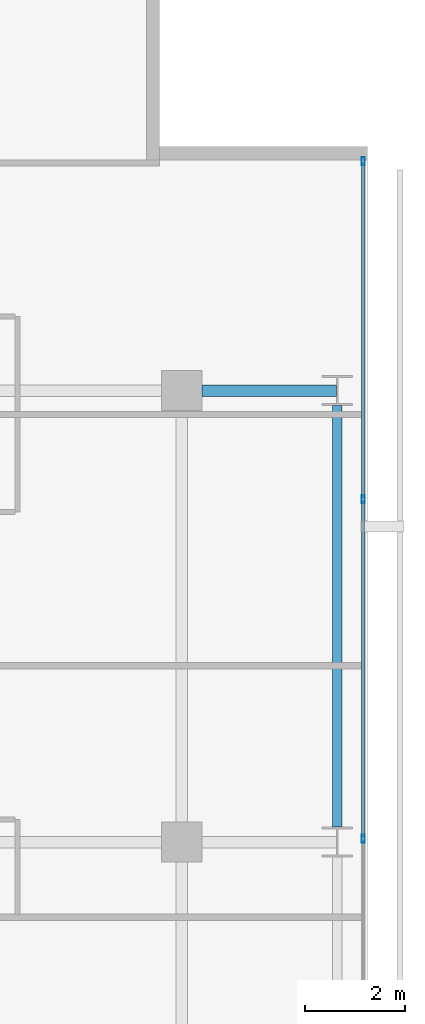
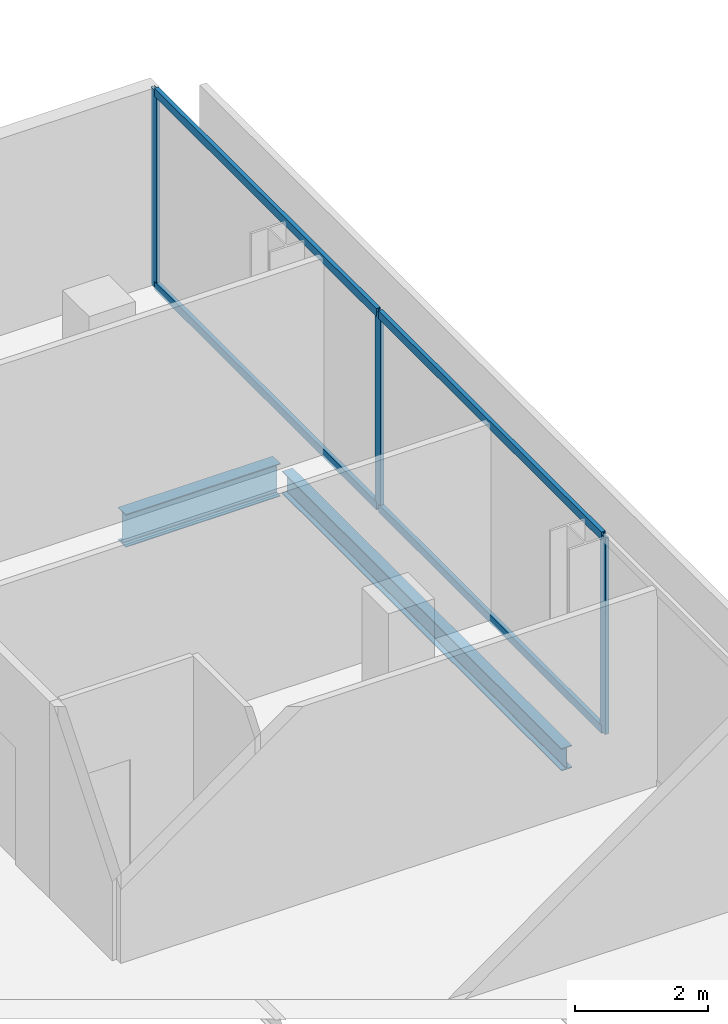
# One storey, part 24 of 34: 7 members, 2 beams, 1 element without a shape of its own.
"""IFC4 building model written with IfcOpenShell, lengths in metres."""

from ifc_helpers import new_model, si_unit, direction, frame, origin, origin_2d, place, context, subcontext, project, spatial, hollow_rectangle, i_section, extrude, material, layer, layer_set, material_profile, profile_set, type_object, element, aggregate, save


model = new_model("IFC4")

# Units and contexts
model_context = context("Model", 3, precision=1e-05, world=origin(), true_north=direction((0.0, 1.0)))
body_context = subcontext(model_context, "Body", "Model", "MODEL_VIEW")
ifc_project = project(units=[si_unit("LENGTHUNIT", "METRE"), si_unit("AREAUNIT", "SQUARE_METRE"), si_unit("VOLUMEUNIT", "CUBIC_METRE"), si_unit("PLANEANGLEUNIT", "RADIAN"), si_unit("MASSUNIT", "GRAM", prefix="KILO")], contexts=[model_context])

# Site, building, storey
site_placement = place(None, origin())
site = spatial("IfcSite", under=ifc_project, at=site_placement, CompositionType="ELEMENT")
building_placement = place(site_placement, origin())
building = spatial("IfcBuilding", under=site, at=building_placement, Name="Maruvema Waterfront Hotel and Observation Tower", CompositionType="ELEMENT")
storey_placement = place(building_placement, frame((0.0, 0.0, 177.449951171875)))
storey = spatial("IfcBuildingStorey", under=building, at=storey_placement, Name="L43", CompositionType="ELEMENT", Elevation=177.449951171875)

# Curtain wall, members
ifc_material_1 = material(Name="Anodised bronze aluminium and solar-control low-E IGU", Category="aluminium")
ifc_layer = layer(ifc_material_1, 0.159912109375, Name="Zone 2 Amber Inner Thermal Curtain Wall System CW-03")
ifc_layer_set = layer_set([ifc_layer], Name="Anodised bronze aluminium and solar-control low-E IGU")
curtain_wall_type = type_object("IfcCurtainWallType", Name="Zone 2 Amber Inner Thermal Curtain Wall System CW-03", PredefinedType="USERDEFINED", material=ifc_layer_set)
curtain_wall_placement = place(storey_placement, origin())
curtain_wall = element("IfcCurtainWall", 1, at=curtain_wall_placement, inside=storey, type_object=curtain_wall_type, Name="L43 Curtain Wall CW-L43-E", ObjectType="UNITISED CURTAIN WALL", PredefinedType="USERDEFINED")
ifc_material_2 = material(Name="Anodised architectural bronze aluminium", Category="aluminium")
ifc_material_profile_1 = material_profile(ifc_material_2, hollow_rectangle(XDim=0.070068359375, YDim=0.14990234375, WallThickness=0.00390625, at=origin_2d()), Name="ALU-T70x150")
ifc_profile_set_1 = profile_set([ifc_material_profile_1], Name="Anodised architectural bronze aluminium")
member_type_1 = type_object("IfcMemberType", Name="Curtain Wall Horizontal Transom ALU-T70x150", PredefinedType="USERDEFINED", material=ifc_profile_set_1)
member_1_placement = place(storey_placement, frame((62.419921875, 36.0966796875, 0.030029296875), z_axis=(0.0, 1.0, 0.0), x_axis=(-1.0, 0.0, 0.0)))
member_1 = element("IfcMember", 2, at=member_1_placement, type_object=member_type_1, Name="CW-03 transom 5.1", ObjectType="TRANSOM", PredefinedType="USERDEFINED", context=body_context, shape_type="SweptSolid", body=[
    extrude(hollow_rectangle(XDim=0.070068359375, YDim=0.14990234375, WallThickness=0.00390625, at=origin_2d()), origin(), (0.0, 0.0, 1.0), 6.70654296875),
])
member_2_placement = place(storey_placement, frame((62.419921875, 36.0966796875, 3.580078125), z_axis=(0.0, 1.0, 0.0), x_axis=(-1.0, 0.0, 0.0)))
member_2 = element("IfcMember", 3, at=member_2_placement, type_object=member_type_1, Name="CW-03 transom 5.2", ObjectType="TRANSOM", PredefinedType="USERDEFINED", context=body_context, shape_type="SweptSolid", body=[
    extrude(hollow_rectangle(XDim=0.070068359375, YDim=0.14990234375, WallThickness=0.00390625, at=origin_2d()), origin(), (0.0, 0.0, 1.0), 6.70654296875),
])
member_3_placement = place(storey_placement, frame((62.419921875, 42.86328125, 0.030029296875), z_axis=(0.0, 1.0, 0.0), x_axis=(-1.0, 0.0, 0.0)))
member_3 = element("IfcMember", 4, at=member_3_placement, type_object=member_type_1, Name="CW-03 transom 6.1", ObjectType="TRANSOM", PredefinedType="USERDEFINED", context=body_context, shape_type="SweptSolid", body=[
    extrude(hollow_rectangle(XDim=0.070068359375, YDim=0.14990234375, WallThickness=0.00390625, at=origin_2d()), origin(), (0.0, 0.0, 1.0), 6.6767578125),
])
member_4_placement = place(storey_placement, frame((62.419921875, 42.86328125, 3.580078125), z_axis=(0.0, 1.0, 0.0), x_axis=(-1.0, 0.0, 0.0)))
member_4 = element("IfcMember", 5, at=member_4_placement, type_object=member_type_1, Name="CW-03 transom 6.2", ObjectType="TRANSOM", PredefinedType="USERDEFINED", context=body_context, shape_type="SweptSolid", body=[
    extrude(hollow_rectangle(XDim=0.070068359375, YDim=0.14990234375, WallThickness=0.00390625, at=origin_2d()), origin(), (0.0, 0.0, 1.0), 6.6767578125),
])
ifc_material_3 = material(Name="Anodised architectural bronze aluminium", Category="aluminium")
ifc_material_profile_2 = material_profile(ifc_material_3, hollow_rectangle(XDim=0.06494140625, YDim=0.1650390625, WallThickness=0.00390625, at=origin_2d()), Name="ALU-M65x165")
ifc_profile_set_2 = profile_set([ifc_material_profile_2], Name="Anodised architectural bronze aluminium")
member_type_2 = type_object("IfcMemberType", Name="Curtain Wall Primary Mullion ALU-M65x165", PredefinedType="MULLION", material=ifc_profile_set_2)
member_5_placement = place(storey_placement, frame((62.419921875, 36.066650390625, 0.0), z_axis=(0.0, 0.0, 1.0), x_axis=(-1.0, 0.0, 0.0)))
member_5 = element("IfcMember", 6, at=member_5_placement, type_object=member_type_2, Name="CW-03 mullion 5", PredefinedType="MULLION", context=body_context, shape_type="SweptSolid", body=[
    extrude(hollow_rectangle(XDim=0.06494140625, YDim=0.1650390625, WallThickness=0.00390625, at=origin_2d()), origin(), (0.0, 0.0, 1.0), 3.610107421875),
])
member_6_placement = place(storey_placement, frame((62.419921875, 42.833251953125, 0.0), z_axis=(0.0, 0.0, 1.0), x_axis=(-1.0, 0.0, 0.0)))
member_6 = element("IfcMember", 7, at=member_6_placement, type_object=member_type_2, Name="CW-03 mullion 6", PredefinedType="MULLION", context=body_context, shape_type="SweptSolid", body=[
    extrude(hollow_rectangle(XDim=0.06494140625, YDim=0.1650390625, WallThickness=0.00390625, at=origin_2d()), origin(), (0.0, 0.0, 1.0), 3.610107421875),
])
member_7_placement = place(storey_placement, frame((62.419921875, 49.570068359375, 0.0), z_axis=(0.0, 0.0, 1.0), x_axis=(-1.0, 0.0, 0.0)))
member_7 = element("IfcMember", 8, at=member_7_placement, type_object=member_type_2, Name="CW-03 mullion 7", PredefinedType="MULLION", context=body_context, shape_type="SweptSolid", body=[
    extrude(hollow_rectangle(XDim=0.06494140625, YDim=0.1650390625, WallThickness=0.00390625, at=origin_2d()), origin(), (0.0, 0.0, 1.0), 3.610107421875),
])
aggregate(curtain_wall, [member_5, member_6, member_7, member_1, member_2, member_3, member_4])

# Beams
ifc_material_4 = material(Name="Steel ASTM A572 Grade 50", Category="steel")
ifc_material_profile_3 = material_profile(ifc_material_4, i_section(OverallWidth=0.180908203125, OverallDepth=0.4169921875, WebThickness=0.010986328125, FlangeThickness=0.018310546875, FilletRadius=0.014892578125, at=origin_2d()), Name="W410x85.0")
ifc_profile_set_3 = profile_set([ifc_material_profile_3], Name="Steel ASTM A572 Grade 50")
beam_type_1 = type_object("IfcBeamType", Name="Perimeter Spandrel Beam W410x85.0", PredefinedType="SPANDREL", material=ifc_profile_set_3)
beam_1_placement = place(storey_placement, frame((61.89990234375, 36.300048828125, -0.448486328125), z_axis=(0.0, 1.0, 0.0), x_axis=(-1.0, 0.0, 0.0)))
element("IfcBeam", 9, at=beam_1_placement, inside=storey, type_object=beam_type_1, Name="L43 Floor Girder NS-32", PredefinedType="SPANDREL", context=body_context, shape_type="SweptSolid", body=[
    extrude(i_section(OverallWidth=0.180908203125, OverallDepth=0.4169921875, WebThickness=0.010986328125, FlangeThickness=0.018310546875, FilletRadius=0.014892578125, at=origin_2d()), origin(), (0.0, 0.0, 1.0), 8.39990234375),
])
ifc_material_5 = material(Name="Steel ASTM A572 Grade 50", Category="steel")
ifc_material_profile_4 = material_profile(ifc_material_5, i_section(OverallWidth=0.22802734375, OverallDepth=0.60302734375, WebThickness=0.010498046875, FlangeThickness=0.014892578125, FilletRadius=0.01806640625, at=origin_2d()), Name="W610x101.0")
ifc_profile_set_4 = profile_set([ifc_material_profile_4], Name="Steel ASTM A572 Grade 50")
beam_type_2 = type_object("IfcBeamType", Name="Primary Floor Girder W610x101.0", PredefinedType="BEAM", material=ifc_profile_set_4)
beam_2_placement = place(storey_placement, frame((59.199951171875, 45.0, -0.54150390625), z_axis=(1.0, 0.0, 0.0), x_axis=(0.0, 1.0, 0.0)))
element("IfcBeam", 10, at=beam_2_placement, inside=storey, type_object=beam_type_2, Name="L43 Floor Girder EW-33", PredefinedType="BEAM", context=body_context, shape_type="SweptSolid", body=[
    extrude(i_section(OverallWidth=0.22802734375, OverallDepth=0.60302734375, WebThickness=0.010498046875, FlangeThickness=0.014892578125, FilletRadius=0.01806640625, at=origin_2d()), origin(), (0.0, 0.0, 1.0), 2.6875),
])

save(model, "model.ifc")
